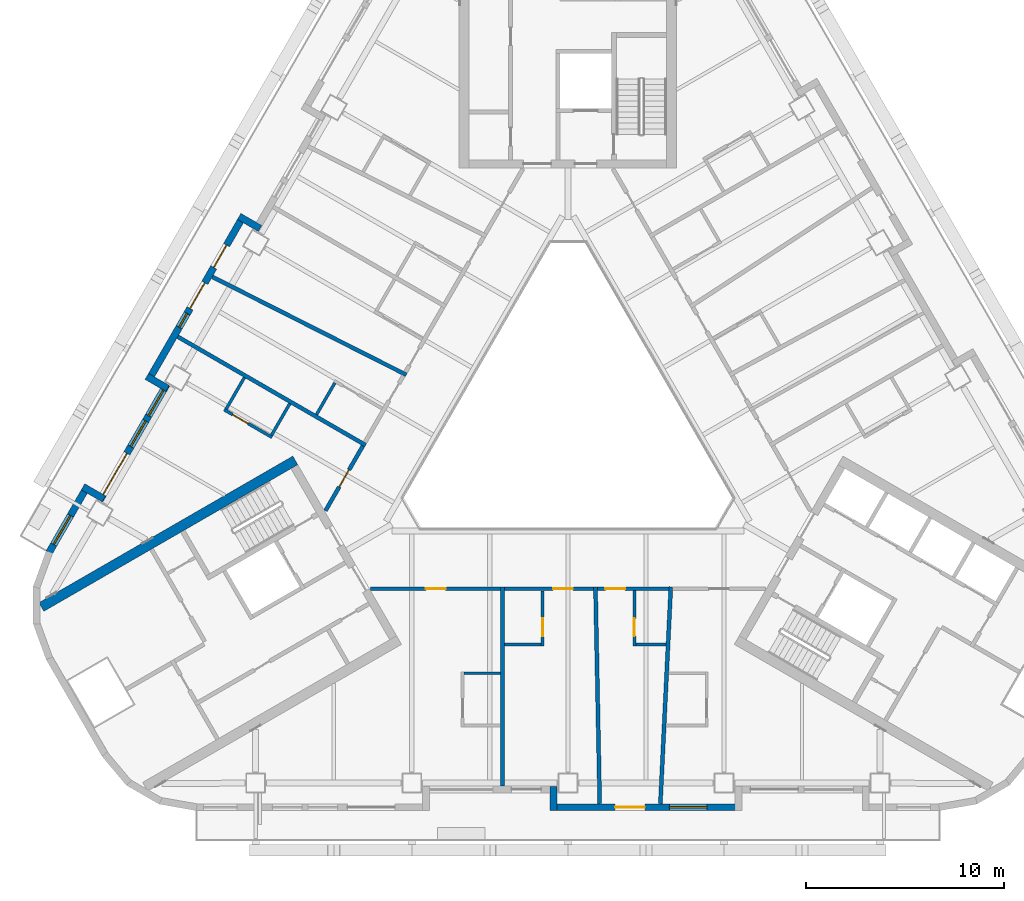
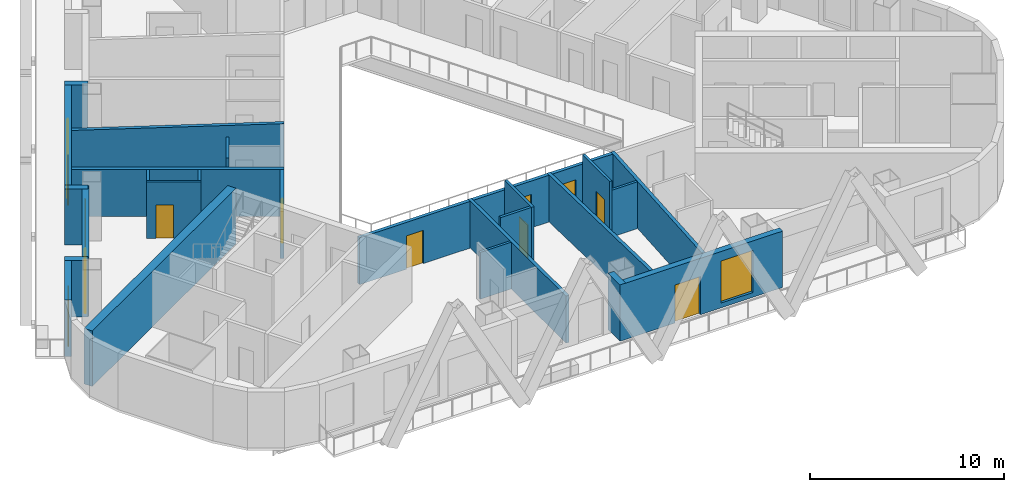
# One storey, part 6 of 17: 27 walls, 11 doors, 5 windows, 16 openings.
"""IFC4 building model written with IfcOpenShell, lengths in metres."""

from ifc_helpers import new_model, si_unit, direction, frame, frame_2d, origin, place, context, subcontext, project, spatial, rectangle, extrude, material, layer, layer_set, type_object, element, fill, save


model = new_model("IFC4")

# Units and contexts
model_context = context("Model", 3, precision=1e-05, world=origin(), true_north=direction((0.0, 1.0)))
body_context = subcontext(model_context, "Body", "Model", "MODEL_VIEW")
ifc_project = project(units=[si_unit("LENGTHUNIT", "METRE"), si_unit("AREAUNIT", "SQUARE_METRE"), si_unit("VOLUMEUNIT", "CUBIC_METRE"), si_unit("PLANEANGLEUNIT", "RADIAN"), si_unit("MASSUNIT", "GRAM", prefix="KILO")], contexts=[model_context])

# Site, building, storey
site_placement = place(None, origin())
site = spatial("IfcSite", under=ifc_project, at=site_placement, CompositionType="ELEMENT")
building_placement = place(site_placement, origin())
building = spatial("IfcBuilding", under=site, at=building_placement, Name="Apuvela Tower Hotel", CompositionType="ELEMENT")
storey_placement = place(building_placement, frame((0.0, 0.0, 46.5)))
storey = spatial("IfcBuildingStorey", under=building, at=storey_placement, Name="L08", CompositionType="ELEMENT", Elevation=46.5)

# Walls
ifc_material_1 = material(Name="Concrete C50/60", Category="concrete")
ifc_layer_1 = layer(ifc_material_1, 0.5)
ifc_layer_set_1 = layer_set([ifc_layer_1], Name="COR-WALL-CORE-500")
wall_type_1 = type_object("IfcWallType", Name="COR-WALL-CORE-500", PredefinedType="SHEAR", material=ifc_layer_set_1)
wall_1_placement = place(storey_placement, frame((-13.796630859375, -1.9033203125, 0.0), z_axis=(0.0, 0.0, 1.0), x_axis=(-0.866025009528, -0.500000682871, 0.0)))
element("IfcWall", 1, at=wall_1_placement, inside=storey, type_object=wall_type_1, Name="Core wall SW", PredefinedType="SHEAR", context=body_context, shape_type="SweptSolid", body=[
    extrude(rectangle(XDim=14.8369140625, YDim=0.5, at=frame_2d((7.41845703125, 0.0))), origin(), (0.0, 0.0, 1.0), 3.5),
])
ifc_material_2 = material(Name="Concrete C40/50, dark pigmented precast panel", Category="concrete")
ifc_layer_2 = layer(ifc_material_2, 0.35009765625)
ifc_layer_set_2 = layer_set([ifc_layer_2], Name="ENV-WALL-350")
wall_type_2 = type_object("IfcWallType", Name="ENV-WALL-350", PredefinedType="SOLIDWALL", material=ifc_layer_set_2)
wall_2_placement = place(storey_placement, frame((-15.580810546875, 9.8330078125, 0.0), z_axis=(0.0, 0.0, 1.0), x_axis=(-0.866055662726, 0.499947586314, 0.0)))
element("IfcWall", 2, at=wall_2_placement, inside=storey, type_object=wall_type_2, Name="External wall L08-04", PredefinedType="SOLIDWALL", context=body_context, shape_type="SweptSolid", body=[
    extrude(rectangle(XDim=1.220458984375, YDim=0.35009765625, at=frame_2d((0.6103515625, 0.0))), origin(), (0.0, 0.0, 1.0), 3.550048828125),
])

# Wall, openings, doors, window
wall_3_placement = place(storey_placement, frame((-16.3984375, 10.507080078125, 0.0), z_axis=(0.0, 0.0, 1.0), x_axis=(-0.499999142773, -0.866025898704, 0.0)))
wall_3 = element("IfcWall", 3, at=wall_3_placement, inside=storey, type_object=wall_type_2, Name="External wall L08-05", PredefinedType="SOLIDWALL", context=body_context, shape_type="SweptSolid", body=[
    extrude(rectangle(XDim=9.7001953125, YDim=0.35009765625, at=frame_2d((4.85009765625, 0.0))), origin(), (0.0, 0.0, 1.0), 3.550048828125),
])
opening_1_placement = place(wall_3_placement, frame((1.75048828125, 0.0, 0.0)))
opening_1 = element("IfcOpeningElement", 4, at=opening_1_placement, cuts=wall_3, Name="Opening BD13", PredefinedType="OPENING", context=body_context, shape_type="SweptSolid", body=[
    extrude(rectangle(XDim=1.300048828125, YDim=2.39990234375, at=frame_2d((0.64990234375, 1.199951171875))), frame((0.0, 0.18505859375, 0.0), z_axis=(0.0, -1.0, 0.0), x_axis=(1.0, 0.0, 0.0)), (0.0, 0.0, 1.0), 0.3701171875),
])
opening_2_placement = place(wall_3_placement, frame((3.9501953125, 0.0, 0.0)))
opening_2 = element("IfcOpeningElement", 5, at=opening_2_placement, cuts=wall_3, Name="Opening BD15", PredefinedType="OPENING", context=body_context, shape_type="SweptSolid", body=[
    extrude(rectangle(XDim=1.5, YDim=2.39990234375, at=frame_2d((0.75, 1.199951171875))), frame((0.0, 0.18505859375, 0.0), z_axis=(0.0, -1.0, 0.0), x_axis=(1.0, 0.0, 0.0)), (0.0, 0.0, 1.0), 0.3701171875),
])
opening_3_placement = place(wall_3_placement, frame((5.75, 0.0, 0.300048828125)))
opening_3 = element("IfcOpeningElement", 6, at=opening_3_placement, cuts=wall_3, Name="Opening WN08", PredefinedType="OPENING", context=body_context, shape_type="SweptSolid", body=[
    extrude(rectangle(XDim=0.800048828125, YDim=2.64990234375, at=frame_2d((0.39990234375, 1.324951171875))), frame((0.0, 0.18505859375, 0.0), z_axis=(0.0, -1.0, 0.0), x_axis=(1.0, 0.0, 0.0)), (0.0, 0.0, 1.0), 0.3701171875),
])
ifc_material_3 = material(Name="Aluminium 6063-T6, dark bronze anodised frame with dark tinted laminated glass", Category="aluminium")
door_type_1 = type_object("IfcDoorType", Name="ENV-DOOR-BALCONY-1300x2400", OperationType="SLIDING_TO_LEFT", PredefinedType="DOOR", material=ifc_material_3)
door_1_placement = place(opening_1_placement, frame((1.300048828125, 0.0, 0.0), z_axis=(0.0, 0.0, 1.0), x_axis=(-1.0, 0.0, 0.0)))
door_1 = element("IfcDoor", 7, at=door_1_placement, inside=storey, type_object=door_type_1, Name="Balcony door BD13", OperationType="SLIDING_TO_LEFT", OverallHeight=2.39990234375, OverallWidth=1.300048828125, PredefinedType="DOOR", context=body_context, shape_type="SweptSolid", body=[
    extrude(rectangle(XDim=1.300048828125, YDim=2.39990234375, at=frame_2d((0.64990234375, 1.199951171875))), frame((0.0, 0.02490234375, 0.0), z_axis=(0.0, -1.0, 0.0), x_axis=(1.0, 0.0, 0.0)), (0.0, 0.0, 1.0), 0.050048828125),
])
fill(opening_1, door_1)
door_type_2 = type_object("IfcDoorType", Name="ENV-DOOR-BALCONY-1500x2400", OperationType="SLIDING_TO_LEFT", PredefinedType="DOOR", material=ifc_material_3)
door_2_placement = place(opening_2_placement, frame((1.5, 0.0, 0.0), z_axis=(0.0, 0.0, 1.0), x_axis=(-1.0, 0.0, 0.0)))
door_2 = element("IfcDoor", 8, at=door_2_placement, inside=storey, type_object=door_type_2, Name="Balcony door BD15", OperationType="SLIDING_TO_LEFT", OverallHeight=2.39990234375, OverallWidth=1.5, PredefinedType="DOOR", context=body_context, shape_type="SweptSolid", body=[
    extrude(rectangle(XDim=1.5, YDim=2.39990234375, at=frame_2d((0.75, 1.199951171875))), frame((0.0, 0.02490234375, 0.0), z_axis=(0.0, -1.0, 0.0), x_axis=(1.0, 0.0, 0.0)), (0.0, 0.0, 1.0), 0.050048828125),
])
fill(opening_2, door_2)
ifc_material_4 = material(Name="Glass, dark tinted laminated insulated glazing unit", Category="glass")
window_type_1 = type_object("IfcWindowType", Name="ENV-WIN-800x2650", PartitioningType="SINGLE_PANEL", PredefinedType="WINDOW", material=ifc_material_4)
window_1_placement = place(opening_3_placement, origin())
window_1 = element("IfcWindow", 9, at=window_1_placement, inside=storey, type_object=window_type_1, Name="Window WN08", OverallHeight=2.64990234375, OverallWidth=0.800048828125, PartitioningType="SINGLE_PANEL", PredefinedType="WINDOW", context=body_context, shape_type="SweptSolid", body=[
    extrude(rectangle(XDim=0.800048828125, YDim=2.64990234375, at=frame_2d((0.39990234375, 1.324951171875))), frame((0.0, 0.030029296875, 0.0), z_axis=(0.0, -1.0, 0.0), x_axis=(1.0, 0.0, 0.0)), (0.0, 0.0, 1.0), 0.06005859375),
])
fill(opening_3, window_1)

# Wall
wall_4_placement = place(storey_placement, frame((-21.3125, 2.345703125, 0.0), z_axis=(0.0, 0.0, 1.0), x_axis=(0.866005645448, -0.500034220881, 0.0)))
element("IfcWall", 10, at=wall_4_placement, inside=storey, type_object=wall_type_2, Name="External wall L08-06", PredefinedType="SOLIDWALL", context=body_context, shape_type="SweptSolid", body=[
    extrude(rectangle(XDim=1.22021484375, YDim=0.35009765625, at=frame_2d((0.610107421875, 0.0))), origin(), (0.0, 0.0, 1.0), 3.550048828125),
])

# Wall, openings, door, windows
wall_5_placement = place(storey_placement, frame((-20.30908203125, 1.93359375, 0.0), z_axis=(0.0, 0.0, 1.0), x_axis=(-0.499992114976, -0.866029956157, 0.0)))
wall_5 = element("IfcWall", 11, at=wall_5_placement, inside=storey, type_object=wall_type_2, Name="External wall L08-07", PredefinedType="SOLIDWALL", context=body_context, shape_type="SweptSolid", body=[
    extrude(rectangle(XDim=6.73974609375, YDim=0.35009765625, at=frame_2d((3.369873046875, 0.0))), origin(), (0.0, 0.0, 1.0), 3.550048828125),
])
opening_4_placement = place(wall_5_placement, frame((4.02001953125, 0.0, 0.0)))
opening_4 = element("IfcOpeningElement", 12, at=opening_4_placement, cuts=wall_5, Name="Opening BD24", PredefinedType="OPENING", context=body_context, shape_type="SweptSolid", body=[
    extrude(rectangle(XDim=2.39990234375, YDim=2.39990234375, at=frame_2d((1.199951171875, 1.199951171875))), frame((0.0, 0.18505859375, 0.0), z_axis=(0.0, -1.0, 0.0), x_axis=(1.0, 0.0, 0.0)), (0.0, 0.0, 1.0), 0.3701171875),
])
opening_5_placement = place(wall_5_placement, frame((0.320068359375, 0.0, 0.300048828125)))
opening_5 = element("IfcOpeningElement", 13, at=opening_5_placement, cuts=wall_5, Name="Opening WN15", PredefinedType="OPENING", context=body_context, shape_type="SweptSolid", body=[
    extrude(rectangle(XDim=1.5, YDim=2.64990234375, at=frame_2d((0.75, 1.324951171875))), frame((0.0, 0.18505859375, 0.0), z_axis=(0.0, -1.0, 0.0), x_axis=(1.0, 0.0, 0.0)), (0.0, 0.0, 1.0), 0.3701171875),
])
opening_6_placement = place(wall_5_placement, frame((2.1201171875, 0.0, 0.300048828125)))
opening_6 = element("IfcOpeningElement", 14, at=opening_6_placement, cuts=wall_5, Name="Opening WN15", PredefinedType="OPENING", context=body_context, shape_type="SweptSolid", body=[
    extrude(rectangle(XDim=1.5, YDim=2.64990234375, at=frame_2d((0.75, 1.324951171875))), frame((0.0, 0.18505859375, 0.0), z_axis=(0.0, -1.0, 0.0), x_axis=(1.0, 0.0, 0.0)), (0.0, 0.0, 1.0), 0.3701171875),
])
door_type_3 = type_object("IfcDoorType", Name="ENV-DOOR-BALCONY-2400x2400", OperationType="SLIDING_TO_LEFT", PredefinedType="DOOR", material=ifc_material_3)
door_3_placement = place(opening_4_placement, frame((2.39990234375, 0.0, 0.0), z_axis=(0.0, 0.0, 1.0), x_axis=(-1.0, 0.0, 0.0)))
door_3 = element("IfcDoor", 15, at=door_3_placement, inside=storey, type_object=door_type_3, Name="Balcony door BD24", OperationType="SLIDING_TO_LEFT", OverallHeight=2.39990234375, OverallWidth=2.39990234375, PredefinedType="DOOR", context=body_context, shape_type="SweptSolid", body=[
    extrude(rectangle(XDim=2.39990234375, YDim=2.39990234375, at=frame_2d((1.199951171875, 1.199951171875))), frame((0.0, 0.02490234375, 0.0), z_axis=(0.0, -1.0, 0.0), x_axis=(1.0, 0.0, 0.0)), (0.0, 0.0, 1.0), 0.050048828125),
])
fill(opening_4, door_3)
window_type_2 = type_object("IfcWindowType", Name="ENV-WIN-1500x2650", PartitioningType="SINGLE_PANEL", PredefinedType="WINDOW", material=ifc_material_4)
window_2_placement = place(opening_5_placement, origin())
window_2 = element("IfcWindow", 16, at=window_2_placement, inside=storey, type_object=window_type_2, Name="Window WN15", OverallHeight=2.64990234375, OverallWidth=1.5, PartitioningType="SINGLE_PANEL", PredefinedType="WINDOW", context=body_context, shape_type="SweptSolid", body=[
    extrude(rectangle(XDim=1.5, YDim=2.64990234375, at=frame_2d((0.75, 1.324951171875))), frame((0.0, 0.030029296875, 0.0), z_axis=(0.0, -1.0, 0.0), x_axis=(1.0, 0.0, 0.0)), (0.0, 0.0, 1.0), 0.06005859375),
])
fill(opening_5, window_2)
window_3_placement = place(opening_6_placement, origin())
window_3 = element("IfcWindow", 17, at=window_3_placement, inside=storey, type_object=window_type_2, Name="Window WN15", OverallHeight=2.64990234375, OverallWidth=1.5, PartitioningType="SINGLE_PANEL", PredefinedType="WINDOW", context=body_context, shape_type="SweptSolid", body=[
    extrude(rectangle(XDim=1.5, YDim=2.64990234375, at=frame_2d((0.75, 1.324951171875))), frame((0.0, 0.030029296875, 0.0), z_axis=(0.0, -1.0, 0.0), x_axis=(1.0, 0.0, 0.0)), (0.0, 0.0, 1.0), 0.06005859375),
])
fill(opening_6, window_3)

# Wall
wall_6_placement = place(storey_placement, frame((-23.48095703125, -3.85009765625, 0.0), z_axis=(0.0, 0.0, 1.0), x_axis=(-0.866092288191, 0.499884134912, 0.0)))
element("IfcWall", 18, at=wall_6_placement, inside=storey, type_object=wall_type_2, Name="External wall L08-08", PredefinedType="SOLIDWALL", context=body_context, shape_type="SweptSolid", body=[
    extrude(rectangle(XDim=1.219970703125, YDim=0.35009765625, at=frame_2d((0.60986328125, 0.0))), origin(), (0.0, 0.0, 1.0), 3.550048828125),
])

# Wall, opening, window
wall_7_placement = place(storey_placement, frame((-24.298583984375, -3.17626953125, 0.0), z_axis=(0.0, 0.0, 1.0), x_axis=(-0.500028278809, -0.866009076391, 0.0)))
wall_7 = element("IfcWall", 19, at=wall_7_placement, inside=storey, type_object=wall_type_2, Name="External wall L08-09", PredefinedType="SOLIDWALL", context=body_context, shape_type="SweptSolid", body=[
    extrude(rectangle(XDim=3.915771484375, YDim=0.35009765625, at=frame_2d((1.9580078125, 0.0))), origin(), (0.0, 0.0, 1.0), 3.550048828125),
])
opening_7_placement = place(wall_7_placement, frame((1.750244140625, 0.0, 0.300048828125)))
opening_7 = element("IfcOpeningElement", 20, at=opening_7_placement, cuts=wall_7, Name="Opening WN17", PredefinedType="OPENING", context=body_context, shape_type="SweptSolid", body=[
    extrude(rectangle(XDim=1.699951171875, YDim=2.64990234375, at=frame_2d((0.85009765625, 1.324951171875))), frame((0.0, 0.18505859375, 0.0), z_axis=(0.0, -1.0, 0.0), x_axis=(1.0, 0.0, 0.0)), (0.0, 0.0, 1.0), 0.3701171875),
])
window_type_3 = type_object("IfcWindowType", Name="ENV-WIN-1700x2650", PartitioningType="SINGLE_PANEL", PredefinedType="WINDOW", material=ifc_material_4)
window_4_placement = place(opening_7_placement, origin())
window_4 = element("IfcWindow", 21, at=window_4_placement, inside=storey, type_object=window_type_3, Name="Window WN17", OverallHeight=2.64990234375, OverallWidth=1.699951171875, PartitioningType="SINGLE_PANEL", PredefinedType="WINDOW", context=body_context, shape_type="SweptSolid", body=[
    extrude(rectangle(XDim=1.699951171875, YDim=2.64990234375, at=frame_2d((0.85009765625, 1.324951171875))), frame((0.0, 0.030029296875, 0.0), z_axis=(0.0, -1.0, 0.0), x_axis=(1.0, 0.0, 0.0)), (0.0, 0.0, 1.0), 0.06005859375),
])
fill(opening_7, window_4)

# Wall
wall_8_placement = place(storey_placement, frame((-0.72509765625, -18.409912109375, 0.0), z_axis=(0.0, 0.0, 1.0), x_axis=(0.0, -1.0, 0.0)))
element("IfcWall", 22, at=wall_8_placement, inside=storey, type_object=wall_type_2, Name="External wall L08-20", PredefinedType="SOLIDWALL", context=body_context, shape_type="SweptSolid", body=[
    extrude(rectangle(XDim=1.219970703125, YDim=0.35009765625, at=frame_2d((0.60986328125, 0.0))), origin(), (0.0, 0.0, 1.0), 3.550048828125),
])

# Wall, openings, door, window
wall_9_placement = place(storey_placement, frame((-0.89990234375, -19.455078125, 0.0), z_axis=(0.0, 0.0, 1.0), x_axis=(1.0, 0.0, 0.0)))
wall_9 = element("IfcWall", 23, at=wall_9_placement, inside=storey, type_object=wall_type_2, Name="External wall L08-21", PredefinedType="SOLIDWALL", context=body_context, shape_type="SweptSolid", body=[
    extrude(rectangle(XDim=9.699951171875, YDim=0.35009765625, at=frame_2d((4.85009765625, 0.0))), origin(), (0.0, 0.0, 1.0), 3.550048828125),
])
opening_8_placement = place(wall_9_placement, frame((3.294921875, 0.0, 0.0)))
opening_8 = element("IfcOpeningElement", 24, at=opening_8_placement, cuts=wall_9, Name="Opening BD15", PredefinedType="OPENING", context=body_context, shape_type="SweptSolid", body=[
    extrude(rectangle(XDim=1.5, YDim=2.39990234375, at=frame_2d((0.75, 1.199951171875))), frame((0.0, 0.18505859375, 0.0), z_axis=(0.0, -1.0, 0.0), x_axis=(1.0, 0.0, 0.0)), (0.0, 0.0, 1.0), 0.3701171875),
])
opening_9_placement = place(wall_9_placement, frame((6.0302734375, 0.0, 0.300048828125)))
opening_9 = element("IfcOpeningElement", 25, at=opening_9_placement, cuts=wall_9, Name="Opening WN19", PredefinedType="OPENING", context=body_context, shape_type="SweptSolid", body=[
    extrude(rectangle(XDim=1.89990234375, YDim=2.64990234375, at=frame_2d((0.949951171875, 1.324951171875))), frame((0.0, 0.18505859375, 0.0), z_axis=(0.0, -1.0, 0.0), x_axis=(1.0, 0.0, 0.0)), (0.0, 0.0, 1.0), 0.3701171875),
])
door_4_placement = place(opening_8_placement, frame((1.5, 0.0, 0.0), z_axis=(0.0, 0.0, 1.0), x_axis=(-1.0, 0.0, 0.0)))
door_4 = element("IfcDoor", 26, at=door_4_placement, inside=storey, type_object=door_type_2, Name="Balcony door BD15", OperationType="SLIDING_TO_LEFT", OverallHeight=2.39990234375, OverallWidth=1.5, PredefinedType="DOOR", context=body_context, shape_type="SweptSolid", body=[
    extrude(rectangle(XDim=1.5, YDim=2.39990234375, at=frame_2d((0.75, 1.199951171875))), frame((0.0, 0.02490234375, 0.0), z_axis=(0.0, -1.0, 0.0), x_axis=(1.0, 0.0, 0.0)), (0.0, 0.0, 1.0), 0.050048828125),
])
fill(opening_8, door_4)
window_type_4 = type_object("IfcWindowType", Name="ENV-WIN-1900x2650", PartitioningType="SINGLE_PANEL", PredefinedType="WINDOW", material=ifc_material_4)
window_5_placement = place(opening_9_placement, origin())
window_5 = element("IfcWindow", 27, at=window_5_placement, inside=storey, type_object=window_type_4, Name="Window WN19", OverallHeight=2.64990234375, OverallWidth=1.89990234375, PartitioningType="SINGLE_PANEL", PredefinedType="WINDOW", context=body_context, shape_type="SweptSolid", body=[
    extrude(rectangle(XDim=1.89990234375, YDim=2.64990234375, at=frame_2d((0.949951171875, 1.324951171875))), frame((0.0, 0.030029296875, 0.0), z_axis=(0.0, -1.0, 0.0), x_axis=(1.0, 0.0, 0.0)), (0.0, 0.0, 1.0), 0.06005859375),
])
fill(opening_9, window_5)

# Walls
ifc_material_5 = material(Name="Gypsum board partition on twin steel stud", Category="steel")
ifc_layer_3 = layer(ifc_material_5, 0.199951171875)
ifc_layer_set_3 = layer_set([ifc_layer_3], Name="GST-PW1")
wall_type_3 = type_object("IfcWallType", Name="GST-PW1", PredefinedType="PARTITIONING", material=ifc_layer_set_3)
wall_10_placement = place(storey_placement, frame((-3.300048828125, -18.3798828125, 0.0), z_axis=(0.0, 0.0, 1.0), x_axis=(0.0, 1.0, 0.0)))
element("IfcWall", 28, at=wall_10_placement, inside=storey, type_object=wall_type_3, Name="L08 partition 01", PredefinedType="PARTITIONING", context=body_context, shape_type="SweptSolid", body=[
    extrude(rectangle(XDim=10.079833984375, YDim=0.199951171875, at=frame_2d((5.0400390625, 0.0))), origin(), (0.0, 0.0, 1.0), 2.9599609375),
])
wall_11_placement = place(storey_placement, frame((1.610107421875, -19.280029296875, 0.0), z_axis=(0.0, 0.0, 1.0), x_axis=(-0.019496449176, 0.999809926171, 0.0)))
element("IfcWall", 29, at=wall_11_placement, inside=storey, type_object=wall_type_3, Name="L08 partition 02", PredefinedType="PARTITIONING", context=body_context, shape_type="SweptSolid", body=[
    extrude(rectangle(XDim=10.982177734375, YDim=0.199951171875, at=frame_2d((5.4912109375, 0.0))), origin(), (0.0, 0.0, 1.0), 2.9599609375),
])
wall_12_placement = place(storey_placement, frame((4.679931640625, -19.280029296875, 0.0), z_axis=(0.0, 0.0, 1.0), x_axis=(0.048194033078, 0.998837992457, 0.0)))
element("IfcWall", 30, at=wall_12_placement, inside=storey, type_object=wall_type_3, Name="L08 partition 03", PredefinedType="PARTITIONING", context=body_context, shape_type="SweptSolid", body=[
    extrude(rectangle(XDim=10.99267578125, YDim=0.199951171875, at=frame_2d((5.496337890625, 0.0))), origin(), (0.0, 0.0, 1.0), 2.9599609375),
])
wall_13_placement = place(storey_placement, frame((-17.9970703125, 7.38818359375, 0.0), z_axis=(0.0, 0.0, 1.0), x_axis=(0.892478457214, -0.451090016968, 0.0)))
element("IfcWall", 31, at=wall_13_placement, inside=storey, type_object=wall_type_3, Name="L08 partition 10", PredefinedType="PARTITIONING", context=body_context, shape_type="SweptSolid", body=[
    extrude(rectangle(XDim=10.9970703125, YDim=0.199951171875, at=frame_2d((5.49853515625, 0.0))), origin(), (0.0, 0.0, 1.0), 2.9599609375),
])
wall_14_placement = place(storey_placement, frame((-19.7470703125, 4.357177734375, 0.0), z_axis=(0.0, 0.0, 1.0), x_axis=(0.866027479907, -0.499996404033, 0.0)))
element("IfcWall", 32, at=wall_14_placement, inside=storey, type_object=wall_type_3, Name="L08 partition 11", PredefinedType="PARTITIONING", context=body_context, shape_type="SweptSolid", body=[
    extrude(rectangle(XDim=10.97998046875, YDim=0.199951171875, at=frame_2d((5.489990234375, 0.0))), origin(), (0.0, 0.0, 1.0), 2.9599609375),
])

# Wall, opening, door
ifc_material_6 = material(Name="Gypsum board corridor wall on twin steel stud, acoustic", Category="steel")
ifc_layer_4 = layer(ifc_material_6, 0.199951171875)
ifc_layer_set_4 = layer_set([ifc_layer_4], Name="GST-PW2")
wall_type_4 = type_object("IfcWallType", Name="GST-PW2", PredefinedType="PARTITIONING", material=ifc_layer_set_4)
wall_15_placement = place(storey_placement, frame((-3.39990234375, -8.39990234375, 0.0), z_axis=(0.0, 0.0, 1.0), x_axis=(-1.0, 0.0, 0.0)))
wall_15 = element("IfcWall", 33, at=wall_15_placement, inside=storey, type_object=wall_type_4, Name="L08 partition 12", PredefinedType="PARTITIONING", context=body_context, shape_type="SweptSolid", body=[
    extrude(rectangle(XDim=6.58837890625, YDim=0.199951171875, at=frame_2d((3.294189453125, 0.0))), origin(), (0.0, 0.0, 1.0), 2.949951171875),
])
opening_10_placement = place(wall_15_placement, frame((2.794189453125, 0.0, 0.0)))
opening_10 = element("IfcOpeningElement", 34, at=opening_10_placement, cuts=wall_15, Name="Opening GD01-02", PredefinedType="OPENING", context=body_context, shape_type="SweptSolid", body=[
    extrude(rectangle(XDim=1.0, YDim=2.10009765625, at=frame_2d((0.5, 1.050048828125))), frame((0.0, 0.10986328125, 0.0), z_axis=(0.0, -1.0, 0.0), x_axis=(1.0, 0.0, 0.0)), (0.0, 0.0, 1.0), 0.219970703125),
])
ifc_material_7 = material(Name="Timber door leaf in steel frame", Category="steel")
door_type_4 = type_object("IfcDoorType", Name="GST-D1", OperationType="NOTDEFINED", PredefinedType="DOOR", material=ifc_material_7)
door_5_placement = place(opening_10_placement, origin())
door_5 = element("IfcDoor", 35, at=door_5_placement, inside=storey, type_object=door_type_4, Name="Door L08-02", OperationType="SINGLE_SWING_LEFT", OverallHeight=2.10009765625, OverallWidth=1.0, PredefinedType="DOOR", context=body_context, shape_type="SweptSolid", body=[
    extrude(rectangle(XDim=1.0, YDim=2.10009765625, at=frame_2d((0.5, 1.050048828125))), frame((0.0, 0.02490234375, 0.0), z_axis=(0.0, -1.0, 0.0), x_axis=(1.0, 0.0, 0.0)), (0.0, 0.0, 1.0), 0.050048828125),
])
fill(opening_10, door_5)

wall_16_placement = place(storey_placement, frame((1.298095703125, -8.39990234375, 0.0), z_axis=(0.0, 0.0, 1.0), x_axis=(-1.0, 0.0, 0.0)))
wall_16 = element("IfcWall", 36, at=wall_16_placement, inside=storey, type_object=wall_type_4, Name="L08 partition 16", PredefinedType="PARTITIONING", context=body_context, shape_type="SweptSolid", body=[
    extrude(rectangle(XDim=4.498046875, YDim=0.199951171875, at=frame_2d((2.2490234375, 0.0))), origin(), (0.0, 0.0, 1.0), 2.949951171875),
])
opening_11_placement = place(wall_16_placement, frame((1.048095703125, 0.0, 0.0)))
opening_11 = element("IfcOpeningElement", 37, at=opening_11_placement, cuts=wall_16, Name="Opening GD01-04", PredefinedType="OPENING", context=body_context, shape_type="SweptSolid", body=[
    extrude(rectangle(XDim=1.0, YDim=2.10009765625, at=frame_2d((0.5, 1.050048828125))), frame((0.0, 0.10986328125, 0.0), z_axis=(0.0, -1.0, 0.0), x_axis=(1.0, 0.0, 0.0)), (0.0, 0.0, 1.0), 0.219970703125),
])
door_6_placement = place(opening_11_placement, origin())
door_6 = element("IfcDoor", 38, at=door_6_placement, inside=storey, type_object=door_type_4, Name="Door L08-04", OperationType="SINGLE_SWING_LEFT", OverallHeight=2.10009765625, OverallWidth=1.0, PredefinedType="DOOR", context=body_context, shape_type="SweptSolid", body=[
    extrude(rectangle(XDim=1.0, YDim=2.10009765625, at=frame_2d((0.5, 1.050048828125))), frame((0.0, 0.02490234375, 0.0), z_axis=(0.0, -1.0, 0.0), x_axis=(1.0, 0.0, 0.0)), (0.0, 0.0, 1.0), 0.050048828125),
])
fill(opening_11, door_6)

wall_17_placement = place(storey_placement, frame((5.104736328125, -8.39990234375, 0.0), z_axis=(0.0, 0.0, 1.0), x_axis=(-1.0, 0.0, 0.0)))
wall_17 = element("IfcWall", 39, at=wall_17_placement, inside=storey, type_object=wall_type_4, Name="L08 partition 19", PredefinedType="PARTITIONING", context=body_context, shape_type="SweptSolid", body=[
    extrude(rectangle(XDim=3.606689453125, YDim=0.199951171875, at=frame_2d((1.80322265625, 0.0))), origin(), (0.0, 0.0, 1.0), 2.949951171875),
])
opening_12_placement = place(wall_17_placement, frame((2.20654296875, 0.0, 0.0)))
opening_12 = element("IfcOpeningElement", 40, at=opening_12_placement, cuts=wall_17, Name="Opening GD01-06", PredefinedType="OPENING", context=body_context, shape_type="SweptSolid", body=[
    extrude(rectangle(XDim=1.0, YDim=2.10009765625, at=frame_2d((0.5, 1.050048828125))), frame((0.0, 0.10986328125, 0.0), z_axis=(0.0, -1.0, 0.0), x_axis=(1.0, 0.0, 0.0)), (0.0, 0.0, 1.0), 0.219970703125),
])
door_7_placement = place(opening_12_placement, origin())
door_7 = element("IfcDoor", 41, at=door_7_placement, inside=storey, type_object=door_type_4, Name="Door L08-06", OperationType="SINGLE_SWING_RIGHT", OverallHeight=2.10009765625, OverallWidth=1.0, PredefinedType="DOOR", context=body_context, shape_type="SweptSolid", body=[
    extrude(rectangle(XDim=1.0, YDim=2.10009765625, at=frame_2d((0.5, 1.050048828125))), frame((0.0, 0.02490234375, 0.0), z_axis=(0.0, -1.0, 0.0), x_axis=(1.0, 0.0, 0.0)), (0.0, 0.0, 1.0), 0.050048828125),
])
fill(opening_12, door_7)

wall_18_placement = place(storey_placement, frame((-12.268798828125, -4.449951171875, 0.0), z_axis=(0.0, 0.0, 1.0), x_axis=(0.500055316652, 0.865993464345, 0.0)))
wall_18 = element("IfcWall", 42, at=wall_18_placement, inside=storey, type_object=wall_type_4, Name="L08 partition 56", PredefinedType="PARTITIONING", context=body_context, shape_type="SweptSolid", body=[
    extrude(rectangle(XDim=3.7880859375, YDim=0.199951171875, at=frame_2d((1.89404296875, 0.0))), origin(), (0.0, 0.0, 1.0), 2.949951171875),
])
opening_13_placement = place(wall_18_placement, frame((1.39404296875, 0.0, 0.0)))
opening_13 = element("IfcOpeningElement", 43, at=opening_13_placement, cuts=wall_18, Name="Opening GD01-28", PredefinedType="OPENING", context=body_context, shape_type="SweptSolid", body=[
    extrude(rectangle(XDim=1.0, YDim=2.10009765625, at=frame_2d((0.5, 1.050048828125))), frame((0.0, 0.10986328125, 0.0), z_axis=(0.0, -1.0, 0.0), x_axis=(1.0, 0.0, 0.0)), (0.0, 0.0, 1.0), 0.219970703125),
])
door_8_placement = place(opening_13_placement, origin())
door_8 = element("IfcDoor", 44, at=door_8_placement, inside=storey, type_object=door_type_4, Name="Door L08-28", OperationType="SINGLE_SWING_RIGHT", OverallHeight=2.10009765625, OverallWidth=1.0, PredefinedType="DOOR", context=body_context, shape_type="SweptSolid", body=[
    extrude(rectangle(XDim=1.0, YDim=2.10009765625, at=frame_2d((0.5, 1.050048828125))), frame((0.0, 0.02490234375, 0.0), z_axis=(0.0, -1.0, 0.0), x_axis=(1.0, 0.0, 0.0)), (0.0, 0.0, 1.0), 0.050048828125),
])
fill(opening_13, door_8)

# Wall
ifc_material_8 = material(Name="Moisture-resistant gypsum board wet wall on steel stud", Category="steel")
ifc_layer_5 = layer(ifc_material_8, 0.14990234375)
ifc_layer_set_5 = layer_set([ifc_layer_5], Name="GST-PW3")
wall_type_5 = type_object("IfcWallType", Name="GST-PW3", PredefinedType="PARTITIONING", material=ifc_layer_set_5)
wall_19_placement = place(storey_placement, frame((-5.25, -12.675048828125, 0.0), z_axis=(0.0, 0.0, 1.0), x_axis=(1.0, 0.0, 0.0)))
element("IfcWall", 45, at=wall_19_placement, inside=storey, type_object=wall_type_5, Name="L08 partition 15", PredefinedType="PARTITIONING", context=body_context, shape_type="SweptSolid", body=[
    extrude(rectangle(XDim=1.85009765625, YDim=0.14990234375, at=frame_2d((0.925048828125, 0.0))), origin(), (0.0, 0.0, 1.0), 2.949951171875),
])

# Wall, opening, door
wall_20_placement = place(storey_placement, frame((-1.27490234375, -11.300048828125, 0.0), z_axis=(0.0, 0.0, 1.0), x_axis=(0.0, 1.0, 0.0)))
wall_20 = element("IfcWall", 46, at=wall_20_placement, inside=storey, type_object=wall_type_5, Name="L08 partition 17", PredefinedType="PARTITIONING", context=body_context, shape_type="SweptSolid", body=[
    extrude(rectangle(XDim=2.800048828125, YDim=0.14990234375, at=frame_2d((1.39990234375, 0.0))), origin(), (0.0, 0.0, 1.0), 3.550048828125),
])
opening_14_placement = place(wall_20_placement, frame((0.5, 0.0, 0.0)))
opening_14 = element("IfcOpeningElement", 47, at=opening_14_placement, cuts=wall_20, Name="Opening GD01-03", PredefinedType="OPENING", context=body_context, shape_type="SweptSolid", body=[
    extrude(rectangle(XDim=0.89990234375, YDim=2.10009765625, at=frame_2d((0.449951171875, 1.050048828125))), frame((0.0, 0.0849609375, 0.0), z_axis=(0.0, -1.0, 0.0), x_axis=(1.0, 0.0, 0.0)), (0.0, 0.0, 1.0), 0.169921875),
])
door_type_5 = type_object("IfcDoorType", Name="GST-D2", OperationType="NOTDEFINED", PredefinedType="DOOR", material=ifc_material_7)
door_9_placement = place(opening_14_placement, origin())
door_9 = element("IfcDoor", 48, at=door_9_placement, inside=storey, type_object=door_type_5, Name="Door L08-03", OperationType="SINGLE_SWING_LEFT", OverallHeight=2.10009765625, OverallWidth=0.89990234375, PredefinedType="DOOR", context=body_context, shape_type="SweptSolid", body=[
    extrude(rectangle(XDim=0.89990234375, YDim=2.10009765625, at=frame_2d((0.449951171875, 1.050048828125))), frame((0.0, 0.02490234375, 0.0), z_axis=(0.0, -1.0, 0.0), x_axis=(1.0, 0.0, 0.0)), (0.0, 0.0, 1.0), 0.050048828125),
])
fill(opening_14, door_9)

# Wall
wall_21_placement = place(storey_placement, frame((-3.199951171875, -11.22509765625, 0.0), z_axis=(0.0, 0.0, 1.0), x_axis=(1.0, 0.0, 0.0)))
element("IfcWall", 49, at=wall_21_placement, inside=storey, type_object=wall_type_5, Name="L08 partition 18", PredefinedType="PARTITIONING", context=body_context, shape_type="SweptSolid", body=[
    extrude(rectangle(XDim=1.849853515625, YDim=0.14990234375, at=frame_2d((0.9248046875, 0.0))), origin(), (0.0, 0.0, 1.0), 3.550048828125),
])

# Wall, opening, door
wall_22_placement = place(storey_placement, frame((3.3681640625, -8.5, 0.0), z_axis=(0.0, 0.0, 1.0), x_axis=(0.0, -1.0, 0.0)))
wall_22 = element("IfcWall", 50, at=wall_22_placement, inside=storey, type_object=wall_type_5, Name="L08 partition 20", PredefinedType="PARTITIONING", context=body_context, shape_type="SweptSolid", body=[
    extrude(rectangle(XDim=2.800048828125, YDim=0.14990234375, at=frame_2d((1.39990234375, 0.0))), origin(), (0.0, 0.0, 1.0), 3.550048828125),
])
opening_15_placement = place(wall_22_placement, frame((1.39990234375, 0.0, 0.0)))
opening_15 = element("IfcOpeningElement", 51, at=opening_15_placement, cuts=wall_22, Name="Opening GD01-05", PredefinedType="OPENING", context=body_context, shape_type="SweptSolid", body=[
    extrude(rectangle(XDim=0.89990234375, YDim=2.10009765625, at=frame_2d((0.449951171875, 1.050048828125))), frame((0.0, 0.0849609375, 0.0), z_axis=(0.0, -1.0, 0.0), x_axis=(1.0, 0.0, 0.0)), (0.0, 0.0, 1.0), 0.169921875),
])
door_10_placement = place(opening_15_placement, origin())
door_10 = element("IfcDoor", 52, at=door_10_placement, inside=storey, type_object=door_type_5, Name="Door L08-05", OperationType="SINGLE_SWING_RIGHT", OverallHeight=2.10009765625, OverallWidth=0.89990234375, PredefinedType="DOOR", context=body_context, shape_type="SweptSolid", body=[
    extrude(rectangle(XDim=0.89990234375, YDim=2.10009765625, at=frame_2d((0.449951171875, 1.050048828125))), frame((0.0, 0.02490234375, 0.0), z_axis=(0.0, -1.0, 0.0), x_axis=(1.0, 0.0, 0.0)), (0.0, 0.0, 1.0), 0.050048828125),
])
fill(opening_15, door_10)

# Walls
wall_23_placement = place(storey_placement, frame((3.443115234375, -11.22509765625, 0.0), z_axis=(0.0, 0.0, 1.0), x_axis=(1.0, 0.0, 0.0)))
element("IfcWall", 53, at=wall_23_placement, inside=storey, type_object=wall_type_5, Name="L08 partition 21", PredefinedType="PARTITIONING", context=body_context, shape_type="SweptSolid", body=[
    extrude(rectangle(XDim=1.525390625, YDim=0.14990234375, at=frame_2d((0.7626953125, 0.0))), origin(), (0.0, 0.0, 1.0), 2.949951171875),
])
wall_24_placement = place(storey_placement, frame((-11.796142578125, 2.0185546875, 0.0), z_axis=(0.0, 0.0, 1.0), x_axis=(-0.499985172903, -0.866033964044, 0.0)))
element("IfcWall", 54, at=wall_24_placement, inside=storey, type_object=wall_type_5, Name="L08 partition 55", PredefinedType="PARTITIONING", context=body_context, shape_type="SweptSolid", body=[
    extrude(rectangle(XDim=1.85009765625, YDim=0.14990234375, at=frame_2d((0.925048828125, 0.0))), origin(), (0.0, 0.0, 1.0), 3.550048828125),
])

# Wall, opening, door
wall_25_placement = place(storey_placement, frame((-17.3994140625, 0.66357421875, 0.0), z_axis=(0.0, 0.0, 1.0), x_axis=(0.866018616679, -0.500011755427, 0.0)))
wall_25 = element("IfcWall", 55, at=wall_25_placement, inside=storey, type_object=wall_type_5, Name="L08 partition 57", PredefinedType="PARTITIONING", context=body_context, shape_type="SweptSolid", body=[
    extrude(rectangle(XDim=2.80029296875, YDim=0.14990234375, at=frame_2d((1.400146484375, 0.0))), origin(), (0.0, 0.0, 1.0), 3.550048828125),
])
opening_16_placement = place(wall_25_placement, frame((0.5, 0.0, 0.0)))
opening_16 = element("IfcOpeningElement", 56, at=opening_16_placement, cuts=wall_25, Name="Opening GD01-27", PredefinedType="OPENING", context=body_context, shape_type="SweptSolid", body=[
    extrude(rectangle(XDim=0.89990234375, YDim=2.10009765625, at=frame_2d((0.449951171875, 1.050048828125))), frame((0.0, 0.0849609375, 0.0), z_axis=(0.0, -1.0, 0.0), x_axis=(1.0, 0.0, 0.0)), (0.0, 0.0, 1.0), 0.169921875),
])
door_11_placement = place(opening_16_placement, origin())
door_11 = element("IfcDoor", 57, at=door_11_placement, inside=storey, type_object=door_type_5, Name="Door L08-27", OperationType="SINGLE_SWING_LEFT", OverallHeight=2.10009765625, OverallWidth=0.89990234375, PredefinedType="DOOR", context=body_context, shape_type="SweptSolid", body=[
    extrude(rectangle(XDim=0.89990234375, YDim=2.10009765625, at=frame_2d((0.449951171875, 1.050048828125))), frame((0.0, 0.02490234375, 0.0), z_axis=(0.0, -1.0, 0.0), x_axis=(1.0, 0.0, 0.0)), (0.0, 0.0, 1.0), 0.050048828125),
])
fill(opening_16, door_11)

# Walls
wall_26_placement = place(storey_placement, frame((-16.371826171875, 2.293212890625, 0.0), z_axis=(0.0, 0.0, 1.0), x_axis=(-0.499985172903, -0.866033964044, 0.0)))
element("IfcWall", 58, at=wall_26_placement, inside=storey, type_object=wall_type_5, Name="L08 partition 58", PredefinedType="PARTITIONING", context=body_context, shape_type="SweptSolid", body=[
    extrude(rectangle(XDim=1.85009765625, YDim=0.14990234375, at=frame_2d((0.925048828125, 0.0))), origin(), (0.0, 0.0, 1.0), 2.949951171875),
])
wall_27_placement = place(storey_placement, frame((-14.076904296875, 0.968017578125, 0.0), z_axis=(0.0, 0.0, 1.0), x_axis=(-0.500042316284, -0.866000971088, 0.0)))
element("IfcWall", 59, at=wall_27_placement, inside=storey, type_object=wall_type_5, Name="L08 partition 59", PredefinedType="PARTITIONING", context=body_context, shape_type="SweptSolid", body=[
    extrude(rectangle(XDim=1.849853515625, YDim=0.14990234375, at=frame_2d((0.9248046875, 0.0))), origin(), (0.0, 0.0, 1.0), 2.949951171875),
])

save(model, "model.ifc")
